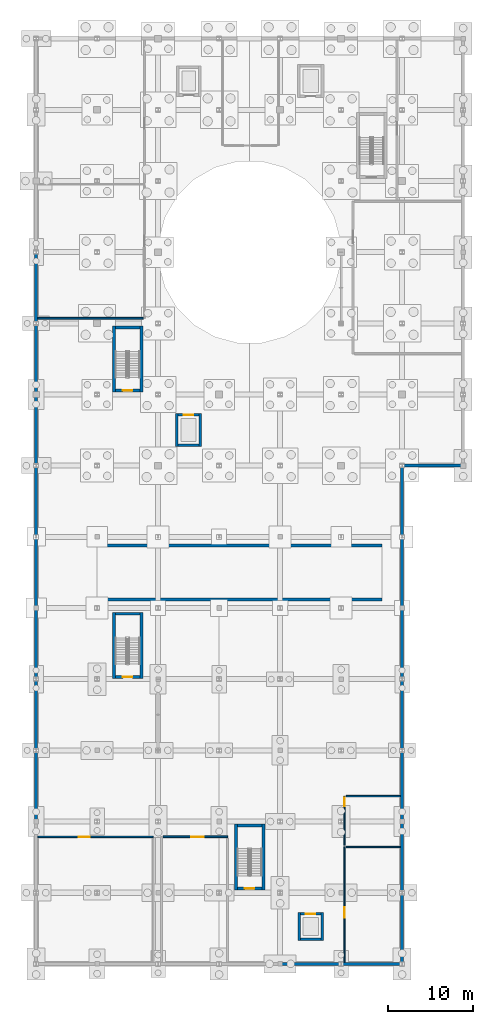
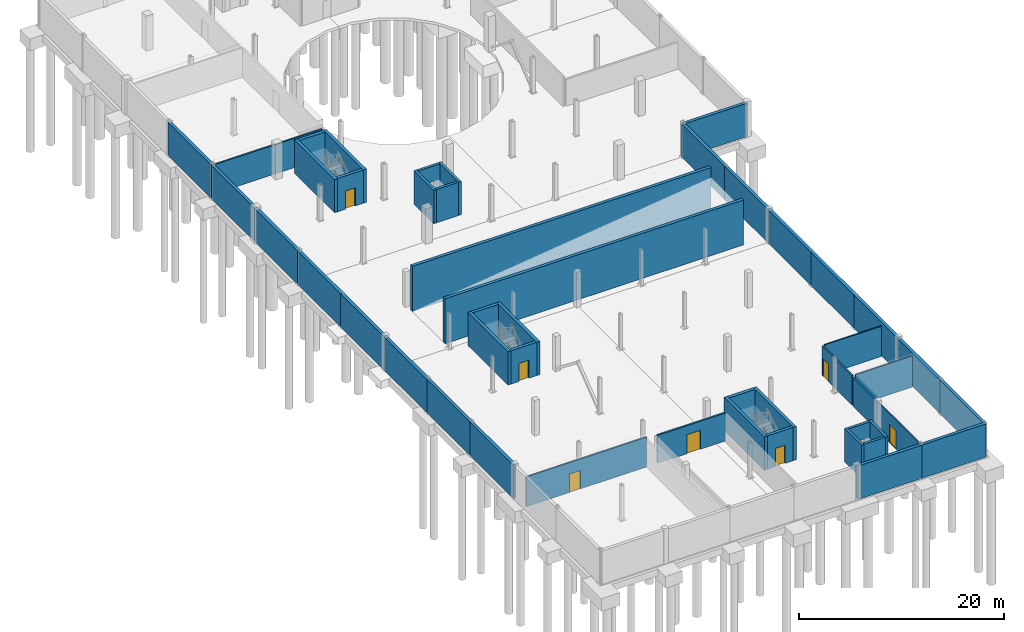
# One storey, part 22 of 32: 47 walls, 9 doors, 9 openings.
"""IFC4 building model written with IfcOpenShell, lengths in metres."""

from ifc_helpers import new_model, si_unit, direction, frame, frame_2d, origin, place, context, subcontext, project, spatial, rectangle, extrude, material, layer, layer_set, type_object, element, fill, save


model = new_model("IFC4")

# Units and contexts
model_context = context("Model", 3, precision=1e-05, world=origin(), true_north=direction((0.0, 1.0)))
body_context = subcontext(model_context, "Body", "Model", "MODEL_VIEW")
ifc_project = project(units=[si_unit("LENGTHUNIT", "METRE"), si_unit("AREAUNIT", "SQUARE_METRE"), si_unit("VOLUMEUNIT", "CUBIC_METRE"), si_unit("PLANEANGLEUNIT", "RADIAN"), si_unit("MASSUNIT", "GRAM", prefix="KILO")], contexts=[model_context])

# Site, building, storey
site_placement = place(None, origin())
site = spatial("IfcSite", under=ifc_project, at=site_placement, CompositionType="ELEMENT")
building_placement = place(site_placement, origin())
building = spatial("IfcBuilding", under=site, at=building_placement, Name="Qelthora Terrace Specialist Clinic", CompositionType="ELEMENT")
storey_placement = place(building_placement, frame((0.0, 0.0, -4.199951171875)))
storey = spatial("IfcBuildingStorey", under=building, at=storey_placement, Name="B1", CompositionType="ELEMENT", Elevation=-4.199951171875)

# Walls
ifc_material_1 = material(Name="Concrete C40/50", Category="concrete")
ifc_layer_1 = layer(ifc_material_1, 0.300048828125)
ifc_layer_set_1 = layer_set([ifc_layer_1], Name="Concrete C40/50")
wall_type_1 = type_object("IfcWallType", Name="WAL-CORE-300-C40", PredefinedType="SHEAR", material=ifc_layer_set_1)
for number, where, z_axis, x_axis, name in (
    (1, (16.60009765625, 61.050048828125, 0.0), (0.0, 0.0, 1.0), (0.0, 1.0, 0.0), "Lift SL-01 B1 west shaft wall"),
    (2, (19.39990234375, 61.050048828125, 0.0), (0.0, 0.0, 1.0), (0.0, 1.0, 0.0), "Lift SL-01 B1 east shaft wall"),
):
    element("IfcWall", number, at=place(storey_placement, frame(where, z_axis=z_axis, x_axis=x_axis)), inside=storey, type_object=wall_type_1, Name=name, PredefinedType="SHEAR", context=body_context, shape_type="SweptSolid", body=[
        extrude(rectangle(XDim=3.89990234375, YDim=0.300048828125, at=frame_2d((1.949951171875, 0.0))), origin(), (0.0, 0.0, 1.0), 3.9599609375),
    ])

# Wall, opening, door
wall_1_placement = place(storey_placement, frame((16.75, 64.800048828125, 0.0), z_axis=(0.0, 0.0, 1.0), x_axis=(1.0, 0.0, 0.0)))
wall_1 = element("IfcWall", 3, at=wall_1_placement, inside=storey, type_object=wall_type_1, Name="Lift SL-01 B1 north shaft wall", PredefinedType="SHEAR", context=body_context, shape_type="SweptSolid", body=[
    extrude(rectangle(XDim=2.5, YDim=0.300048828125, at=frame_2d((1.25, 0.0))), origin(), (0.0, 0.0, 1.0), 3.9599609375),
])
opening_1_placement = place(wall_1_placement, frame((0.699951171875, 0.0, 0.0)))
opening_1 = element("IfcOpeningElement", 4, at=opening_1_placement, cuts=wall_1, Name="Opening LD-SL-01-B1", PredefinedType="OPENING", context=body_context, shape_type="SweptSolid", body=[
    extrude(rectangle(XDim=1.10009765625, YDim=2.14990234375, at=frame_2d((0.550048828125, 1.074951171875))), frame((0.0, 0.159912109375, 0.0), z_axis=(0.0, -1.0, 0.0), x_axis=(1.0, 0.0, 0.0)), (0.0, 0.0, 1.0), 0.320068359375),
])
ifc_material_2 = material(Name="Steel S355", Category="steel")
door_type_1 = type_object("IfcDoorType", Name="DOR-LIFT-1100X2150", OperationType="NOTDEFINED", PredefinedType="DOOR", material=ifc_material_2)
door_1_placement = place(opening_1_placement, origin())
door_1 = element("IfcDoor", 5, at=door_1_placement, inside=storey, type_object=door_type_1, Name="Lift landing sliding door LD-SL-01-B1", OperationType="DOUBLE_DOOR_SLIDING", OverallHeight=2.14990234375, OverallWidth=1.10009765625, PredefinedType="DOOR", context=body_context, shape_type="SweptSolid", body=[
    extrude(rectangle(XDim=1.10009765625, YDim=2.14990234375, at=frame_2d((0.550048828125, 1.074951171875))), frame((0.0, 0.02490234375, 0.0), z_axis=(0.0, -1.0, 0.0), x_axis=(1.0, 0.0, 0.0)), (0.0, 0.0, 1.0), 0.050048828125),
])
fill(opening_1, door_1)

# Walls
wall_2_placement = place(storey_placement, frame((16.75, 61.199951171875, 0.0), z_axis=(0.0, 0.0, 1.0), x_axis=(1.0, 0.0, 0.0)))
element("IfcWall", 6, at=wall_2_placement, inside=storey, type_object=wall_type_1, Name="Lift SL-01 B1 south shaft wall", PredefinedType="SHEAR", context=body_context, shape_type="SweptSolid", body=[
    extrude(rectangle(XDim=2.5, YDim=0.300048828125, at=frame_2d((1.25, 0.0))), origin(), (0.0, 0.0, 1.0), 3.9599609375),
])
for number, where, z_axis, x_axis, name in (
    (7, (31.050048828125, 2.75, 0.0), (0.0, 0.0, 1.0), (0.0, 1.0, 0.0), "Lift PL-03 B1 west shaft wall"),
    (8, (33.75, 2.75, 0.0), (0.0, 0.0, 1.0), (0.0, 1.0, 0.0), "Lift PL-03 B1 east shaft wall"),
):
    element("IfcWall", number, at=place(storey_placement, frame(where, z_axis=z_axis, x_axis=x_axis)), inside=storey, type_object=wall_type_1, Name=name, PredefinedType="SHEAR", context=body_context, shape_type="SweptSolid", body=[
        extrude(rectangle(XDim=3.300048828125, YDim=0.300048828125, at=frame_2d((1.64990234375, 0.0))), origin(), (0.0, 0.0, 1.0), 3.9599609375),
    ])

# Wall, opening, door
wall_3_placement = place(storey_placement, frame((31.199951171875, 5.89990234375, 0.0), z_axis=(0.0, 0.0, 1.0), x_axis=(1.0, 0.0, 0.0)))
wall_3 = element("IfcWall", 9, at=wall_3_placement, inside=storey, type_object=wall_type_1, Name="Lift PL-03 B1 north shaft wall", PredefinedType="SHEAR", context=body_context, shape_type="SweptSolid", body=[
    extrude(rectangle(XDim=2.400146484375, YDim=0.300048828125, at=frame_2d((1.2001953125, 0.0))), origin(), (0.0, 0.0, 1.0), 3.9599609375),
])
opening_2_placement = place(wall_3_placement, frame((0.64990234375, 0.0, 0.0)))
opening_2 = element("IfcOpeningElement", 10, at=opening_2_placement, cuts=wall_3, Name="Opening LD-PL-03-B1", PredefinedType="OPENING", context=body_context, shape_type="SweptSolid", body=[
    extrude(rectangle(XDim=1.10009765625, YDim=2.14990234375, at=frame_2d((0.550048828125, 1.074951171875))), frame((0.0, 0.159912109375, 0.0), z_axis=(0.0, -1.0, 0.0), x_axis=(1.0, 0.0, 0.0)), (0.0, 0.0, 1.0), 0.320068359375),
])
door_2_placement = place(opening_2_placement, origin())
door_2 = element("IfcDoor", 11, at=door_2_placement, inside=storey, type_object=door_type_1, Name="Lift landing sliding door LD-PL-03-B1", OperationType="DOUBLE_DOOR_SLIDING", OverallHeight=2.14990234375, OverallWidth=1.10009765625, PredefinedType="DOOR", context=body_context, shape_type="SweptSolid", body=[
    extrude(rectangle(XDim=1.10009765625, YDim=2.14990234375, at=frame_2d((0.550048828125, 1.074951171875))), frame((0.0, 0.02490234375, 0.0), z_axis=(0.0, -1.0, 0.0), x_axis=(1.0, 0.0, 0.0)), (0.0, 0.0, 1.0), 0.050048828125),
])
fill(opening_2, door_2)

# Walls
wall_4_placement = place(storey_placement, frame((31.199951171875, 2.89990234375, 0.0), z_axis=(0.0, 0.0, 1.0), x_axis=(1.0, 0.0, 0.0)))
element("IfcWall", 12, at=wall_4_placement, inside=storey, type_object=wall_type_1, Name="Lift PL-03 B1 south shaft wall", PredefinedType="SHEAR", context=body_context, shape_type="SweptSolid", body=[
    extrude(rectangle(XDim=2.400146484375, YDim=0.300048828125, at=frame_2d((1.2001953125, 0.0))), origin(), (0.0, 0.0, 1.0), 3.9599609375),
])
ifc_layer_2 = layer(ifc_material_1, 0.35009765625)
ifc_layer_set_2 = layer_set([ifc_layer_2], Name="Concrete C40/50")
wall_type_2 = type_object("IfcWallType", Name="WAL-CORE-350-C40", PredefinedType="SHEAR", material=ifc_layer_set_2)
for number, where, z_axis, x_axis, name in (
    (13, (9.175048828125, 67.5, 0.0), (0.0, 0.0, 1.0), (0.0, 1.0, 0.0), "ST-01 B1 west shear core wall"),
    (14, (12.425048828125, 67.5, 0.0), (0.0, 0.0, 1.0), (0.0, 1.0, 0.0), "ST-01 B1 east shear core wall"),
):
    element("IfcWall", number, at=place(storey_placement, frame(where, z_axis=z_axis, x_axis=x_axis)), inside=storey, type_object=wall_type_2, Name=name, PredefinedType="SHEAR", context=body_context, shape_type="SweptSolid", body=[
        extrude(rectangle(XDim=7.800048828125, YDim=0.35009765625, at=frame_2d((3.89990234375, 0.0))), origin(), (0.0, 0.0, 1.0), 3.9599609375),
    ])
wall_5_placement = place(storey_placement, frame((9.35009765625, 75.125, 0.0), z_axis=(0.0, 0.0, 1.0), x_axis=(1.0, 0.0, 0.0)))
element("IfcWall", 15, at=wall_5_placement, inside=storey, type_object=wall_type_2, Name="ST-01 B1 north shear core wall", PredefinedType="SHEAR", context=body_context, shape_type="SweptSolid", body=[
    extrude(rectangle(XDim=2.89990234375, YDim=0.35009765625, at=frame_2d((1.449951171875, 0.0))), origin(), (0.0, 0.0, 1.0), 3.9599609375),
])

# Wall, opening, door
wall_6_placement = place(storey_placement, frame((9.35009765625, 67.675048828125, 0.0), z_axis=(0.0, 0.0, 1.0), x_axis=(1.0, 0.0, 0.0)))
wall_6 = element("IfcWall", 16, at=wall_6_placement, inside=storey, type_object=wall_type_2, Name="ST-01 B1 south shear core wall", PredefinedType="SHEAR", context=body_context, shape_type="SweptSolid", body=[
    extrude(rectangle(XDim=2.89990234375, YDim=0.35009765625, at=frame_2d((1.449951171875, 0.0))), origin(), (0.0, 0.0, 1.0), 3.9599609375),
])
opening_3_placement = place(wall_6_placement, frame((0.89990234375, 0.0, 0.0)))
opening_3 = element("IfcOpeningElement", 17, at=opening_3_placement, cuts=wall_6, Name="Opening D-ST-01-B1", PredefinedType="OPENING", context=body_context, shape_type="SweptSolid", body=[
    extrude(rectangle(XDim=1.10009765625, YDim=2.14990234375, at=frame_2d((0.550048828125, 1.074951171875))), frame((0.0, 0.18505859375, 0.0), z_axis=(0.0, -1.0, 0.0), x_axis=(1.0, 0.0, 0.0)), (0.0, 0.0, 1.0), 0.3701171875),
])
door_type_2 = type_object("IfcDoorType", Name="DOR-STAIR-1100X2150", OperationType="NOTDEFINED", PredefinedType="DOOR", material=ifc_material_2)
door_3_placement = place(opening_3_placement, origin())
door_3 = element("IfcDoor", 18, at=door_3_placement, inside=storey, type_object=door_type_2, Name="Stair fire door D-ST-01-B1", OperationType="SINGLE_SWING_RIGHT", OverallHeight=2.14990234375, OverallWidth=1.10009765625, PredefinedType="DOOR", context=body_context, shape_type="SweptSolid", body=[
    extrude(rectangle(XDim=1.10009765625, YDim=2.14990234375, at=frame_2d((0.550048828125, 1.074951171875))), frame((0.0, 0.02490234375, 0.0), z_axis=(0.0, -1.0, 0.0), x_axis=(1.0, 0.0, 0.0)), (0.0, 0.0, 1.0), 0.050048828125),
])
fill(opening_3, door_3)

# Walls
for number, where, z_axis, x_axis, name in (
    (19, (23.574951171875, 8.699951171875, 0.0), (0.0, 0.0, 1.0), (0.0, 1.0, 0.0), "ST-03 B1 west shear core wall"),
    (20, (26.824951171875, 8.699951171875, 0.0), (0.0, 0.0, 1.0), (0.0, 1.0, 0.0), "ST-03 B1 east shear core wall"),
):
    element("IfcWall", number, at=place(storey_placement, frame(where, z_axis=z_axis, x_axis=x_axis)), inside=storey, type_object=wall_type_2, Name=name, PredefinedType="SHEAR", context=body_context, shape_type="SweptSolid", body=[
        extrude(rectangle(XDim=7.800048828125, YDim=0.35009765625, at=frame_2d((3.89990234375, 0.0))), origin(), (0.0, 0.0, 1.0), 3.9599609375),
    ])
wall_7_placement = place(storey_placement, frame((23.75, 16.324951171875, 0.0), z_axis=(0.0, 0.0, 1.0), x_axis=(1.0, 0.0, 0.0)))
element("IfcWall", 21, at=wall_7_placement, inside=storey, type_object=wall_type_2, Name="ST-03 B1 north shear core wall", PredefinedType="SHEAR", context=body_context, shape_type="SweptSolid", body=[
    extrude(rectangle(XDim=2.89990234375, YDim=0.35009765625, at=frame_2d((1.449951171875, 0.0))), origin(), (0.0, 0.0, 1.0), 3.9599609375),
])

# Wall, opening, door
wall_8_placement = place(storey_placement, frame((23.75, 8.875, 0.0), z_axis=(0.0, 0.0, 1.0), x_axis=(1.0, 0.0, 0.0)))
wall_8 = element("IfcWall", 22, at=wall_8_placement, inside=storey, type_object=wall_type_2, Name="ST-03 B1 south shear core wall", PredefinedType="SHEAR", context=body_context, shape_type="SweptSolid", body=[
    extrude(rectangle(XDim=2.89990234375, YDim=0.35009765625, at=frame_2d((1.449951171875, 0.0))), origin(), (0.0, 0.0, 1.0), 3.9599609375),
])
opening_4_placement = place(wall_8_placement, frame((0.89990234375, 0.0, 0.0)))
opening_4 = element("IfcOpeningElement", 23, at=opening_4_placement, cuts=wall_8, Name="Opening D-ST-03-B1", PredefinedType="OPENING", context=body_context, shape_type="SweptSolid", body=[
    extrude(rectangle(XDim=1.10009765625, YDim=2.14990234375, at=frame_2d((0.550048828125, 1.074951171875))), frame((0.0, 0.18505859375, 0.0), z_axis=(0.0, -1.0, 0.0), x_axis=(1.0, 0.0, 0.0)), (0.0, 0.0, 1.0), 0.3701171875),
])
door_4_placement = place(opening_4_placement, origin())
door_4 = element("IfcDoor", 24, at=door_4_placement, inside=storey, type_object=door_type_2, Name="Stair fire door D-ST-03-B1", OperationType="SINGLE_SWING_RIGHT", OverallHeight=2.14990234375, OverallWidth=1.10009765625, PredefinedType="DOOR", context=body_context, shape_type="SweptSolid", body=[
    extrude(rectangle(XDim=1.10009765625, YDim=2.14990234375, at=frame_2d((0.550048828125, 1.074951171875))), frame((0.0, 0.02490234375, 0.0), z_axis=(0.0, -1.0, 0.0), x_axis=(1.0, 0.0, 0.0)), (0.0, 0.0, 1.0), 0.050048828125),
])
fill(opening_4, door_4)

# Walls
for number, where, z_axis, x_axis, name in (
    (25, (9.175048828125, 33.699951171875, 0.0), (0.0, 0.0, 1.0), (0.0, 1.0, 0.0), "ST-04 B1 west shear core wall"),
    (26, (12.425048828125, 33.699951171875, 0.0), (0.0, 0.0, 1.0), (0.0, 1.0, 0.0), "ST-04 B1 east shear core wall"),
):
    element("IfcWall", number, at=place(storey_placement, frame(where, z_axis=z_axis, x_axis=x_axis)), inside=storey, type_object=wall_type_2, Name=name, PredefinedType="SHEAR", context=body_context, shape_type="SweptSolid", body=[
        extrude(rectangle(XDim=7.800048828125, YDim=0.35009765625, at=frame_2d((3.89990234375, 0.0))), origin(), (0.0, 0.0, 1.0), 3.9599609375),
    ])
wall_9_placement = place(storey_placement, frame((9.35009765625, 41.324951171875, 0.0), z_axis=(0.0, 0.0, 1.0), x_axis=(1.0, 0.0, 0.0)))
element("IfcWall", 27, at=wall_9_placement, inside=storey, type_object=wall_type_2, Name="ST-04 B1 north shear core wall", PredefinedType="SHEAR", context=body_context, shape_type="SweptSolid", body=[
    extrude(rectangle(XDim=2.89990234375, YDim=0.35009765625, at=frame_2d((1.449951171875, 0.0))), origin(), (0.0, 0.0, 1.0), 3.9599609375),
])

# Wall, opening, door
wall_10_placement = place(storey_placement, frame((9.35009765625, 33.875, 0.0), z_axis=(0.0, 0.0, 1.0), x_axis=(1.0, 0.0, 0.0)))
wall_10 = element("IfcWall", 28, at=wall_10_placement, inside=storey, type_object=wall_type_2, Name="ST-04 B1 south shear core wall", PredefinedType="SHEAR", context=body_context, shape_type="SweptSolid", body=[
    extrude(rectangle(XDim=2.89990234375, YDim=0.35009765625, at=frame_2d((1.449951171875, 0.0))), origin(), (0.0, 0.0, 1.0), 3.9599609375),
])
opening_5_placement = place(wall_10_placement, frame((0.89990234375, 0.0, 0.0)))
opening_5 = element("IfcOpeningElement", 29, at=opening_5_placement, cuts=wall_10, Name="Opening D-ST-04-B1", PredefinedType="OPENING", context=body_context, shape_type="SweptSolid", body=[
    extrude(rectangle(XDim=1.10009765625, YDim=2.14990234375, at=frame_2d((0.550048828125, 1.074951171875))), frame((0.0, 0.18505859375, 0.0), z_axis=(0.0, -1.0, 0.0), x_axis=(1.0, 0.0, 0.0)), (0.0, 0.0, 1.0), 0.3701171875),
])
door_5_placement = place(opening_5_placement, origin())
door_5 = element("IfcDoor", 30, at=door_5_placement, inside=storey, type_object=door_type_2, Name="Stair fire door D-ST-04-B1", OperationType="SINGLE_SWING_RIGHT", OverallHeight=2.14990234375, OverallWidth=1.10009765625, PredefinedType="DOOR", context=body_context, shape_type="SweptSolid", body=[
    extrude(rectangle(XDim=1.10009765625, YDim=2.14990234375, at=frame_2d((0.550048828125, 1.074951171875))), frame((0.0, 0.02490234375, 0.0), z_axis=(0.0, -1.0, 0.0), x_axis=(1.0, 0.0, 0.0)), (0.0, 0.0, 1.0), 0.050048828125),
])
fill(opening_5, door_5)

ifc_material_3 = material(Name="Gypsum fire-rated wallboard", Category="gypsum")
ifc_layer_3 = layer(ifc_material_3, 0.179931640625)
ifc_layer_set_3 = layer_set([ifc_layer_3], Name="Gypsum fire-rated wallboard")
wall_type_3 = type_object("IfcWallType", Name="WAL-INT-CLN-180", PredefinedType="PARTITIONING", material=ifc_layer_set_3)
wall_11_placement = place(storey_placement, frame((0.219970703125, 15.0, 0.0), z_axis=(0.0, 0.0, 1.0), x_axis=(1.0, 0.0, 0.0)))
wall_11 = element("IfcWall", 31, at=wall_11_placement, inside=storey, type_object=wall_type_3, Name="Interior clinical partition IWAL-B1-0001", PredefinedType="PARTITIONING", context=body_context, shape_type="SweptSolid", body=[
    extrude(rectangle(XDim=13.580078125, YDim=0.179931640625, at=frame_2d((6.7900390625, 0.0))), origin(), (0.0, 0.0, 1.0), 3.534912109375),
])
opening_6_placement = place(wall_11_placement, frame((4.8349609375, 0.0, 0.0)))
opening_6 = element("IfcOpeningElement", 32, at=opening_6_placement, cuts=wall_11, Name="Opening DI-B1-0001", PredefinedType="OPENING", context=body_context, shape_type="SweptSolid", body=[
    extrude(rectangle(XDim=1.25, YDim=2.199951171875, at=frame_2d((0.625, 1.10009765625))), frame((0.0, 0.099853515625, 0.0), z_axis=(0.0, -1.0, 0.0), x_axis=(1.0, 0.0, 0.0)), (0.0, 0.0, 1.0), 0.199951171875),
])
door_type_3 = type_object("IfcDoorType", Name="DOR-STR-1250X2200", OperationType="NOTDEFINED", PredefinedType="DOOR", material=ifc_material_2)
door_6_placement = place(opening_6_placement, frame((1.25, 0.0, 0.0), z_axis=(0.0, 0.0, 1.0), x_axis=(-1.0, 0.0, 0.0)))
door_6 = element("IfcDoor", 33, at=door_6_placement, inside=storey, type_object=door_type_3, Name="Interior clinical door DI-B1-0001", OperationType="SINGLE_SWING_RIGHT", OverallHeight=2.199951171875, OverallWidth=1.25, PredefinedType="DOOR", context=body_context, shape_type="SweptSolid", body=[
    extrude(rectangle(XDim=1.25, YDim=2.199951171875, at=frame_2d((0.625, 1.10009765625))), frame((0.0, 0.02490234375, 0.0), z_axis=(0.0, -1.0, 0.0), x_axis=(1.0, 0.0, 0.0)), (0.0, 0.0, 1.0), 0.050048828125),
])
fill(opening_6, door_6)

# Wall
wall_12_placement = place(storey_placement, frame((12.6201171875, 76.199951171875, 0.0), z_axis=(0.0, 0.0, 1.0), x_axis=(-1.0, 0.0, 0.0)))
element("IfcWall", 34, at=wall_12_placement, inside=storey, type_object=wall_type_3, Name="Interior clinical partition IWAL-B1-0012", PredefinedType="PARTITIONING", context=body_context, shape_type="SweptSolid", body=[
    extrude(rectangle(XDim=12.400146484375, YDim=0.179931640625, at=frame_2d((6.2001953125, 0.0))), origin(), (0.0, 0.0, 1.0), 3.47900390625),
])

# Wall, opening, door
ifc_layer_4 = layer(ifc_material_3, 0.159912109375)
ifc_layer_set_4 = layer_set([ifc_layer_4], Name="Gypsum fire-rated wallboard")
wall_type_4 = type_object("IfcWallType", Name="WAL-INT-COR-160", PredefinedType="PARTITIONING", material=ifc_layer_set_4)
wall_13_placement = place(storey_placement, frame((36.39990234375, 0.219970703125, 0.0), z_axis=(0.0, 0.0, 1.0), x_axis=(0.0, 1.0, 0.0)))
wall_13 = element("IfcWall", 35, at=wall_13_placement, inside=storey, type_object=wall_type_4, Name="Interior clinical partition IWAL-B1-0006", PredefinedType="PARTITIONING", context=body_context, shape_type="SweptSolid", body=[
    extrude(rectangle(XDim=13.580078125, YDim=0.159912109375, at=frame_2d((6.7900390625, 0.0))), origin(), (0.0, 0.0, 1.0), 3.407958984375),
])
opening_7_placement = place(wall_13_placement, frame((5.235107421875, 0.0, 0.0)))
opening_7 = element("IfcOpeningElement", 36, at=opening_7_placement, cuts=wall_13, Name="Opening DI-B1-0003", PredefinedType="OPENING", context=body_context, shape_type="SweptSolid", body=[
    extrude(rectangle(XDim=1.25, YDim=2.199951171875, at=frame_2d((0.625, 1.10009765625))), frame((0.0, 0.08984375, 0.0), z_axis=(0.0, -1.0, 0.0), x_axis=(1.0, 0.0, 0.0)), (0.0, 0.0, 1.0), 0.179931640625),
])
door_7_placement = place(opening_7_placement, frame((1.25, 0.0, 0.0), z_axis=(0.0, 0.0, 1.0), x_axis=(-1.0, 0.0, 0.0)))
door_7 = element("IfcDoor", 37, at=door_7_placement, inside=storey, type_object=door_type_3, Name="Interior clinical door DI-B1-0003", OperationType="SINGLE_SWING_RIGHT", OverallHeight=2.199951171875, OverallWidth=1.25, PredefinedType="DOOR", context=body_context, shape_type="SweptSolid", body=[
    extrude(rectangle(XDim=1.25, YDim=2.199951171875, at=frame_2d((0.625, 1.10009765625))), frame((0.0, 0.02490234375, 0.0), z_axis=(0.0, -1.0, 0.0), x_axis=(1.0, 0.0, 0.0)), (0.0, 0.0, 1.0), 0.050048828125),
])
fill(opening_7, door_7)

ifc_layer_5 = layer(ifc_material_3, 0.199951171875)
ifc_layer_set_5 = layer_set([ifc_layer_5], Name="Gypsum fire-rated wallboard")
wall_type_5 = type_object("IfcWallType", Name="WAL-INT-SMK-200", PredefinedType="PARTITIONING", material=ifc_layer_set_5)
wall_14_placement = place(storey_placement, frame((14.97998046875, 15.0, 0.0), z_axis=(0.0, 0.0, 1.0), x_axis=(1.0, 0.0, 0.0)))
wall_14 = element("IfcWall", 38, at=wall_14_placement, inside=storey, type_object=wall_type_5, Name="Interior clinical partition IWAL-B1-0004", PredefinedType="PARTITIONING", context=body_context, shape_type="SweptSolid", body=[
    extrude(rectangle(XDim=7.6201171875, YDim=0.199951171875, at=frame_2d((3.81005859375, 0.0))), origin(), (0.0, 0.0, 1.0), 3.327880859375),
])
opening_8_placement = place(wall_14_placement, frame((3.330078125, 0.0, 0.0)))
opening_8 = element("IfcOpeningElement", 39, at=opening_8_placement, cuts=wall_14, Name="Opening DI-B1-0002", PredefinedType="OPENING", context=body_context, shape_type="SweptSolid", body=[
    extrude(rectangle(XDim=1.5, YDim=2.25, at=frame_2d((0.75, 1.125))), frame((0.0, 0.10986328125, 0.0), z_axis=(0.0, -1.0, 0.0), x_axis=(1.0, 0.0, 0.0)), (0.0, 0.0, 1.0), 0.219970703125),
])
door_type_4 = type_object("IfcDoorType", Name="DOR-PLT-1500X2250", OperationType="NOTDEFINED", PredefinedType="DOOR", material=ifc_material_2)
door_8_placement = place(opening_8_placement, frame((1.5, 0.0, 0.0), z_axis=(0.0, 0.0, 1.0), x_axis=(-1.0, 0.0, 0.0)))
door_8 = element("IfcDoor", 40, at=door_8_placement, inside=storey, type_object=door_type_4, Name="Interior clinical door DI-B1-0002", OperationType="SINGLE_SWING_LEFT", OverallHeight=2.25, OverallWidth=1.5, PredefinedType="DOOR", context=body_context, shape_type="SweptSolid", body=[
    extrude(rectangle(XDim=1.5, YDim=2.25, at=frame_2d((0.75, 1.125))), frame((0.0, 0.02490234375, 0.0), z_axis=(0.0, -1.0, 0.0), x_axis=(1.0, 0.0, 0.0)), (0.0, 0.0, 1.0), 0.050048828125),
])
fill(opening_8, door_8)

# Wall
ifc_material_4 = material(Name="Gypsum moisture-resistant", Category="gypsum")
ifc_layer_6 = layer(ifc_material_4, 0.14990234375)
ifc_layer_set_6 = layer_set([ifc_layer_6], Name="Gypsum moisture-resistant")
wall_type_6 = type_object("IfcWallType", Name="WAL-INT-WET-150", PredefinedType="PLUMBINGWALL", material=ifc_layer_set_6)
wall_15_placement = place(storey_placement, frame((36.580078125, 13.800048828125, 0.0), z_axis=(0.0, 0.0, 1.0), x_axis=(1.0, 0.0, 0.0)))
element("IfcWall", 41, at=wall_15_placement, inside=storey, type_object=wall_type_6, Name="Interior clinical partition IWAL-B1-0007", PredefinedType="PLUMBINGWALL", context=body_context, shape_type="SweptSolid", body=[
    extrude(rectangle(XDim=6.39990234375, YDim=0.14990234375, at=frame_2d((3.199951171875, 0.0))), origin(), (0.0, 0.0, 1.0), 3.68701171875),
])

# Wall, opening, door
wall_16_placement = place(storey_placement, frame((36.39990234375, 14.0, 0.0), z_axis=(0.0, 0.0, 1.0), x_axis=(0.0, 1.0, 0.0)))
wall_16 = element("IfcWall", 42, at=wall_16_placement, inside=storey, type_object=wall_type_6, Name="Interior clinical partition IWAL-B1-0008", PredefinedType="PLUMBINGWALL", context=body_context, shape_type="SweptSolid", body=[
    extrude(rectangle(XDim=5.800048828125, YDim=0.14990234375, at=frame_2d((2.89990234375, 0.0))), origin(), (0.0, 0.0, 1.0), 3.534912109375),
])
opening_9_placement = place(wall_16_placement, frame((4.60009765625, 0.0, 0.0)))
opening_9 = element("IfcOpeningElement", 43, at=opening_9_placement, cuts=wall_16, Name="Opening DI-B1-0004", PredefinedType="OPENING", context=body_context, shape_type="SweptSolid", body=[
    extrude(rectangle(XDim=1.0, YDim=2.10009765625, at=frame_2d((0.5, 1.050048828125))), frame((0.0, 0.0849609375, 0.0), z_axis=(0.0, -1.0, 0.0), x_axis=(1.0, 0.0, 0.0)), (0.0, 0.0, 1.0), 0.169921875),
])
ifc_material_5 = material(Name="Glulam timber GL28h", Category="wood")
door_type_5 = type_object("IfcDoorType", Name="DOR-AWC-1000X2100", OperationType="NOTDEFINED", PredefinedType="DOOR", material=ifc_material_5)
door_9_placement = place(opening_9_placement, frame((1.0, 0.0, 0.0), z_axis=(0.0, 0.0, 1.0), x_axis=(-1.0, 0.0, 0.0)))
door_9 = element("IfcDoor", 44, at=door_9_placement, inside=storey, type_object=door_type_5, Name="Interior clinical door DI-B1-0004", OperationType="SINGLE_SWING_LEFT", OverallHeight=2.10009765625, OverallWidth=1.0, PredefinedType="DOOR", context=body_context, shape_type="SweptSolid", body=[
    extrude(rectangle(XDim=1.0, YDim=2.10009765625, at=frame_2d((0.5, 1.050048828125))), frame((0.0, 0.02490234375, 0.0), z_axis=(0.0, -1.0, 0.0), x_axis=(1.0, 0.0, 0.0)), (0.0, 0.0, 1.0), 0.050048828125),
])
fill(opening_9, door_9)

# Walls
wall_17_placement = place(storey_placement, frame((36.580078125, 19.800048828125, 0.0), z_axis=(0.0, 0.0, 1.0), x_axis=(1.0, 0.0, 0.0)))
element("IfcWall", 45, at=wall_17_placement, inside=storey, type_object=wall_type_6, Name="Interior clinical partition IWAL-B1-0009", PredefinedType="PLUMBINGWALL", context=body_context, shape_type="SweptSolid", body=[
    extrude(rectangle(XDim=6.39990234375, YDim=0.14990234375, at=frame_2d((3.199951171875, 0.0))), origin(), (0.0, 0.0, 1.0), 3.597900390625),
])
ifc_material_6 = material(Name="Concrete C35/45", Category="concrete")
ifc_layer_7 = layer(ifc_material_6, 0.35009765625)
ifc_layer_set_7 = layer_set([ifc_layer_7], Name="Concrete C35/45")
wall_type_7 = type_object("IfcWallType", Name="WAL-RET-350-C35", PredefinedType="USERDEFINED", material=ifc_layer_set_7)
wall_18_placement = place(storey_placement, frame((0.0, 16.800048828125, 0.0), z_axis=(0.0, 0.0, 1.0), x_axis=(0.0, 1.0, 0.0)))
element("IfcWall", 46, at=wall_18_placement, inside=storey, type_object=wall_type_7, Name="Drained concrete retaining wall RET-B1-003", ObjectType="RETAINING WALL", PredefinedType="USERDEFINED", context=body_context, shape_type="SweptSolid", body=[
    extrude(rectangle(XDim=8.39990234375, YDim=0.35009765625, at=frame_2d((4.199951171875, 0.0))), origin(), (0.0, 0.0, 1.0), 3.9599609375),
])
wall_19_placement = place(storey_placement, frame((0.0, 25.199951171875, 0.0), z_axis=(0.0, 0.0, 1.0), x_axis=(0.0, 1.0, 0.0)))
element("IfcWall", 47, at=wall_19_placement, inside=storey, type_object=wall_type_7, Name="Drained concrete retaining wall RET-B1-004", ObjectType="RETAINING WALL", PredefinedType="USERDEFINED", context=body_context, shape_type="SweptSolid", body=[
    extrude(rectangle(XDim=8.400146484375, YDim=0.35009765625, at=frame_2d((4.2001953125, 0.0))), origin(), (0.0, 0.0, 1.0), 3.9599609375),
])
for number, where, z_axis, x_axis, name in (
    (48, (0.0, 33.60009765625, 0.0), (0.0, 0.0, 1.0), (0.0, 1.0, 0.0), "Drained concrete retaining wall RET-B1-005"),
    (49, (0.0, 42.0, 0.0), (0.0, 0.0, 1.0), (0.0, 1.0, 0.0), "Drained concrete retaining wall RET-B1-006"),
):
    element("IfcWall", number, at=place(storey_placement, frame(where, z_axis=z_axis, x_axis=x_axis)), inside=storey, type_object=wall_type_7, Name=name, ObjectType="RETAINING WALL", PredefinedType="USERDEFINED", context=body_context, shape_type="SweptSolid", body=[
        extrude(rectangle(XDim=8.39990234375, YDim=0.35009765625, at=frame_2d((4.199951171875, 0.0))), origin(), (0.0, 0.0, 1.0), 3.9599609375),
    ])
wall_20_placement = place(storey_placement, frame((0.0, 50.39990234375, 0.0), z_axis=(0.0, 0.0, 1.0), x_axis=(0.0, 1.0, 0.0)))
element("IfcWall", 50, at=wall_20_placement, inside=storey, type_object=wall_type_7, Name="Drained concrete retaining wall RET-B1-007", ObjectType="RETAINING WALL", PredefinedType="USERDEFINED", context=body_context, shape_type="SweptSolid", body=[
    extrude(rectangle(XDim=8.400146484375, YDim=0.35009765625, at=frame_2d((4.2001953125, 0.0))), origin(), (0.0, 0.0, 1.0), 3.9599609375),
])
wall_21_placement = place(storey_placement, frame((0.0, 58.800048828125, 0.0), z_axis=(0.0, 0.0, 1.0), x_axis=(0.0, 1.0, 0.0)))
element("IfcWall", 51, at=wall_21_placement, inside=storey, type_object=wall_type_7, Name="Drained concrete retaining wall RET-B1-008", ObjectType="RETAINING WALL", PredefinedType="USERDEFINED", context=body_context, shape_type="SweptSolid", body=[
    extrude(rectangle(XDim=8.39990234375, YDim=0.35009765625, at=frame_2d((4.199951171875, 0.0))), origin(), (0.0, 0.0, 1.0), 3.9599609375),
])
wall_22_placement = place(storey_placement, frame((0.0, 67.199951171875, 0.0), z_axis=(0.0, 0.0, 1.0), x_axis=(0.0, 1.0, 0.0)))
element("IfcWall", 52, at=wall_22_placement, inside=storey, type_object=wall_type_7, Name="Drained concrete retaining wall RET-B1-009", ObjectType="RETAINING WALL", PredefinedType="USERDEFINED", context=body_context, shape_type="SweptSolid", body=[
    extrude(rectangle(XDim=8.400146484375, YDim=0.35009765625, at=frame_2d((4.2001953125, 0.0))), origin(), (0.0, 0.0, 1.0), 3.9599609375),
])
for number, where, z_axis, x_axis, name in (
    (53, (0.0, 75.60009765625, 0.0), (0.0, 0.0, 1.0), (0.0, 1.0, 0.0), "Drained concrete retaining wall RET-B1-010"),
    (54, (43.199951171875, 0.0, 0.0), (0.0, 0.0, 1.0), (0.0, 1.0, 0.0), "Drained concrete retaining wall RET-B1-014"),
):
    element("IfcWall", number, at=place(storey_placement, frame(where, z_axis=z_axis, x_axis=x_axis)), inside=storey, type_object=wall_type_7, Name=name, ObjectType="RETAINING WALL", PredefinedType="USERDEFINED", context=body_context, shape_type="SweptSolid", body=[
        extrude(rectangle(XDim=8.39990234375, YDim=0.35009765625, at=frame_2d((4.199951171875, 0.0))), origin(), (0.0, 0.0, 1.0), 3.9599609375),
    ])
wall_23_placement = place(storey_placement, frame((43.199951171875, 8.39990234375, 0.0), z_axis=(0.0, 0.0, 1.0), x_axis=(0.0, 1.0, 0.0)))
element("IfcWall", 55, at=wall_23_placement, inside=storey, type_object=wall_type_7, Name="Drained concrete retaining wall RET-B1-015", ObjectType="RETAINING WALL", PredefinedType="USERDEFINED", context=body_context, shape_type="SweptSolid", body=[
    extrude(rectangle(XDim=8.400146484375, YDim=0.35009765625, at=frame_2d((4.2001953125, 0.0))), origin(), (0.0, 0.0, 1.0), 3.9599609375),
])
wall_24_placement = place(storey_placement, frame((43.199951171875, 16.800048828125, 0.0), z_axis=(0.0, 0.0, 1.0), x_axis=(0.0, 1.0, 0.0)))
element("IfcWall", 56, at=wall_24_placement, inside=storey, type_object=wall_type_7, Name="Drained concrete retaining wall RET-B1-016", ObjectType="RETAINING WALL", PredefinedType="USERDEFINED", context=body_context, shape_type="SweptSolid", body=[
    extrude(rectangle(XDim=8.39990234375, YDim=0.35009765625, at=frame_2d((4.199951171875, 0.0))), origin(), (0.0, 0.0, 1.0), 3.9599609375),
])
wall_25_placement = place(storey_placement, frame((43.199951171875, 25.199951171875, 0.0), z_axis=(0.0, 0.0, 1.0), x_axis=(0.0, 1.0, 0.0)))
element("IfcWall", 57, at=wall_25_placement, inside=storey, type_object=wall_type_7, Name="Drained concrete retaining wall RET-B1-017", ObjectType="RETAINING WALL", PredefinedType="USERDEFINED", context=body_context, shape_type="SweptSolid", body=[
    extrude(rectangle(XDim=8.400146484375, YDim=0.35009765625, at=frame_2d((4.2001953125, 0.0))), origin(), (0.0, 0.0, 1.0), 3.9599609375),
])
for number, where, z_axis, x_axis, name in (
    (58, (43.199951171875, 33.60009765625, 0.0), (0.0, 0.0, 1.0), (0.0, 1.0, 0.0), "Drained concrete retaining wall RET-B1-018"),
    (59, (43.199951171875, 42.0, 0.0), (0.0, 0.0, 1.0), (0.0, 1.0, 0.0), "Drained concrete retaining wall RET-B1-019"),
):
    element("IfcWall", number, at=place(storey_placement, frame(where, z_axis=z_axis, x_axis=x_axis)), inside=storey, type_object=wall_type_7, Name=name, ObjectType="RETAINING WALL", PredefinedType="USERDEFINED", context=body_context, shape_type="SweptSolid", body=[
        extrude(rectangle(XDim=8.39990234375, YDim=0.35009765625, at=frame_2d((4.199951171875, 0.0))), origin(), (0.0, 0.0, 1.0), 3.9599609375),
    ])
wall_26_placement = place(storey_placement, frame((43.199951171875, 50.39990234375, 0.0), z_axis=(0.0, 0.0, 1.0), x_axis=(0.0, 1.0, 0.0)))
element("IfcWall", 60, at=wall_26_placement, inside=storey, type_object=wall_type_7, Name="Drained concrete retaining wall RET-B1-020", ObjectType="RETAINING WALL", PredefinedType="USERDEFINED", context=body_context, shape_type="SweptSolid", body=[
    extrude(rectangle(XDim=8.400146484375, YDim=0.35009765625, at=frame_2d((4.2001953125, 0.0))), origin(), (0.0, 0.0, 1.0), 3.9599609375),
])
for number, where, z_axis, x_axis, name in (
    (61, (28.800048828125, 0.0, 0.0), (0.0, 0.0, 1.0), (1.0, 0.0, 0.0), "Drained concrete retaining wall RET-B1-031"),
    (62, (36.0, 0.0, 0.0), (0.0, 0.0, 1.0), (1.0, 0.0, 0.0), "Drained concrete retaining wall RET-B1-032"),
    (63, (43.199951171875, 58.800048828125, 0.0), (0.0, 0.0, 1.0), (1.0, 0.0, 0.0), "Drained concrete retaining wall RET-B1-040"),
):
    element("IfcWall", number, at=place(storey_placement, frame(where, z_axis=z_axis, x_axis=x_axis)), inside=storey, type_object=wall_type_7, Name=name, ObjectType="RETAINING WALL", PredefinedType="USERDEFINED", context=body_context, shape_type="SweptSolid", body=[
        extrude(rectangle(XDim=7.199951171875, YDim=0.35009765625, at=frame_2d((3.60009765625, 0.0))), origin(), (0.0, 0.0, 1.0), 3.9599609375),
    ])
for number, where, z_axis, x_axis, name in (
    (64, (7.199951171875, 43.02001953125, 0.0), (0.0, 0.0, 1.0), (1.0, 0.0, 0.0), "Vehicle ramp S RC cheek wall"),
    (65, (7.199951171875, 49.3798828125, 0.0), (0.0, 0.0, 1.0), (1.0, 0.0, 0.0), "Vehicle ramp N RC cheek wall"),
):
    element("IfcWall", number, at=place(storey_placement, frame(where, z_axis=z_axis, x_axis=x_axis)), inside=storey, type_object=wall_type_7, Name=name, ObjectType="RETAINING WALL", PredefinedType="USERDEFINED", context=body_context, shape_type="SweptSolid", body=[
        extrude(rectangle(XDim=33.60009765625, YDim=0.35009765625, at=frame_2d((16.800048828125, 0.0))), origin(), (0.0, 0.0, 1.0), 5.349853515625),
    ])

save(model, "model.ifc")
